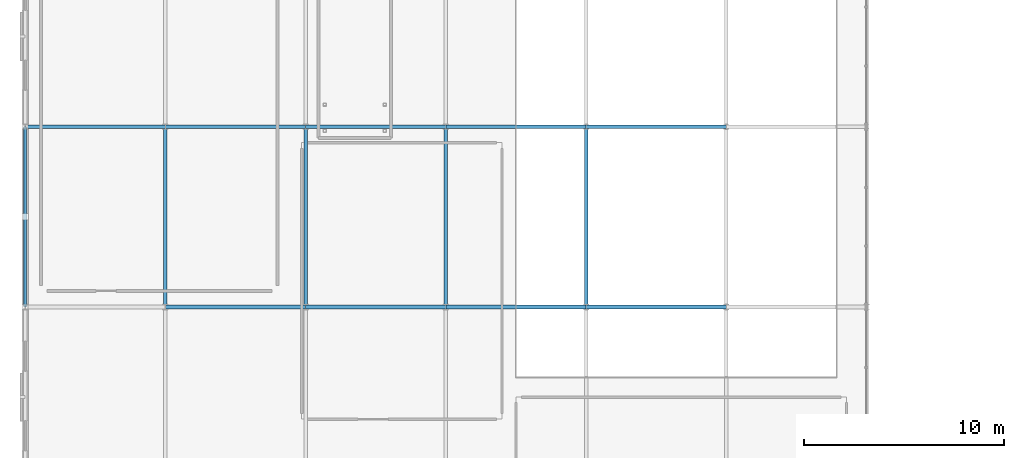
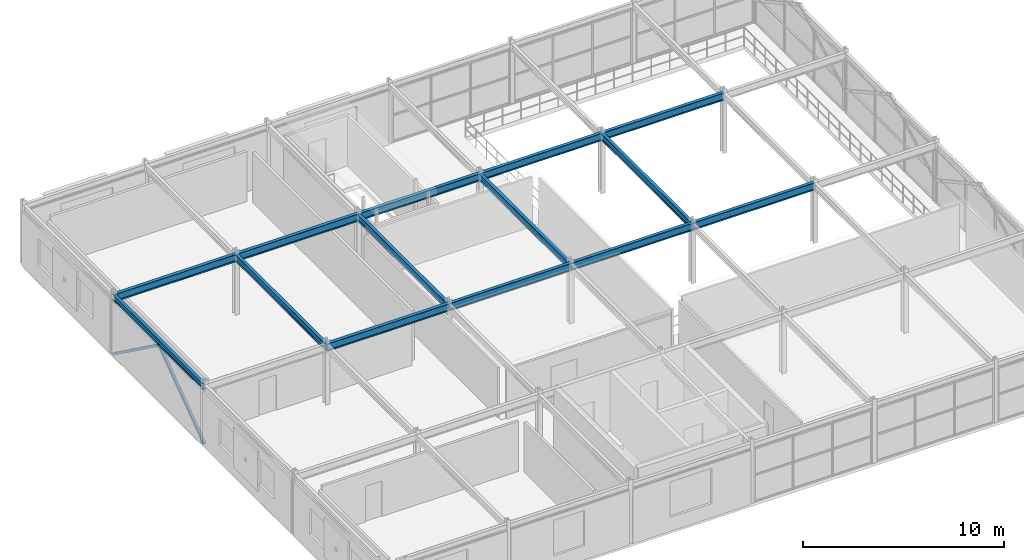
# One storey, part 39 of 98: 14 beams, 2 members.
"""IFC4 building model written with IfcOpenShell, lengths in metres."""

from ifc_helpers import new_model, si_unit, derived_unit, direction, frame, origin, origin_2d_with_axis, place, context, subcontext, project, spatial, hollow_rectangle, i_section, extrude, material, material_profile, profile_set, type_object, element, save


model = new_model("IFC4")

# Units and contexts
model_context = context("Model", 3, precision=1e-05, world=origin(), true_north=direction((0.0, 1.0)))
body_context = subcontext(model_context, "Body", "Model", "MODEL_VIEW")
ifc_project = project(units=[si_unit("LENGTHUNIT", "METRE"), si_unit("AREAUNIT", "SQUARE_METRE"), si_unit("VOLUMEUNIT", "CUBIC_METRE"), si_unit("PLANEANGLEUNIT", "RADIAN"), si_unit("MASSUNIT", "GRAM", prefix="KILO"), derived_unit("THERMALTRANSMITTANCEUNIT", [(si_unit("POWERUNIT", "WATT"), 1), (si_unit("LENGTHUNIT", "METRE"), -2), (si_unit("THERMODYNAMICTEMPERATUREUNIT", "KELVIN"), -1)])], contexts=[model_context])

# Site, building, storey
site_placement = place(None, origin())
site = spatial("IfcSite", under=ifc_project, at=site_placement, CompositionType="ELEMENT")
building_placement = place(site_placement, origin())
building = spatial("IfcBuilding", under=site, at=building_placement, Name="Cinnabar Yard Market Hall", CompositionType="ELEMENT")
storey_placement = place(building_placement, frame((0.0, 0.0, 4.5)))
storey = spatial("IfcBuildingStorey", under=building, at=storey_placement, Name="L01", CompositionType="ELEMENT", Elevation=4.5)

# Beams
ifc_material_1 = material(Name="Steel Grade 300 (300 MPa)", Category="steel")
ifc_material_profile_1 = material_profile(ifc_material_1, i_section(OverallWidth=0.18994140625, OverallDepth=0.453857421875, WebThickness=0.008544921875, FlangeThickness=0.0126953125, FilletRadius=0.011474609375, at=origin_2d_with_axis()), Name="460UB67.1")
ifc_profile_set_1 = profile_set([ifc_material_profile_1], Name="Steel Grade 300 (300 MPa)")
beam_type_1 = type_object("IfcBeamType", Name="BM-B05", PredefinedType="BEAM", material=ifc_profile_set_1)
for number, where, z_axis, x_axis, name in (
    (1, (10.0, 75.0, 3.423095703125), (1.0, 0.0, 0.0), (0.0, 1.0, 0.0), "V2 L01 Girder X 00710"),
    (2, (17.0, 66.0, 3.423095703125), (1.0, 0.0, 0.0), (0.0, 1.0, 0.0), "V2 L01 Girder X 00714"),
    (3, (17.0, 75.0, 3.423095703125), (1.0, 0.0, 0.0), (0.0, 1.0, 0.0), "V2 L01 Girder X 00715"),
    (4, (24.0, 66.0, 3.423095703125), (1.0, 0.0, 0.0), (0.0, 1.0, 0.0), "V2 L01 Girder X 00719"),
    (5, (24.0, 75.0, 3.423095703125), (1.0, 0.0, 0.0), (0.0, 1.0, 0.0), "V2 L01 Girder X 00720"),
    (6, (31.0, 66.0, 3.423095703125), (1.0, 0.0, 0.0), (0.0, 1.0, 0.0), "V2 L01 Girder X 00724"),
    (7, (31.0, 75.0, 3.423095703125), (1.0, 0.0, 0.0), (0.0, 1.0, 0.0), "V2 L01 Girder X 00725"),
    (8, (38.0, 66.0, 3.423095703125), (1.0, 0.0, 0.0), (0.0, 1.0, 0.0), "V2 L01 Girder X 00729"),
    (9, (38.0, 75.0, 3.423095703125), (1.0, 0.0, 0.0), (0.0, 1.0, 0.0), "V2 L01 Girder X 00730"),
):
    element("IfcBeam", number, at=place(storey_placement, frame(where, z_axis=z_axis, x_axis=x_axis)), inside=storey, type_object=beam_type_1, Name=name, PredefinedType="BEAM", context=body_context, shape_type="SweptSolid", body=[
        extrude(i_section(OverallWidth=0.18994140625, OverallDepth=0.453857421875, WebThickness=0.008544921875, FlangeThickness=0.0126953125, FilletRadius=0.011474609375, at=origin_2d_with_axis()), origin(), (0.0, 0.0, 1.0), 7.0),
    ])
ifc_material_profile_2 = material_profile(ifc_material_1, i_section(OverallWidth=0.177978515625, OverallDepth=0.406494140625, WebThickness=0.0078125, FlangeThickness=0.0126953125, FilletRadius=0.011474609375, at=origin_2d_with_axis()), Name="410UB59.7")
ifc_profile_set_2 = profile_set([ifc_material_profile_2], Name="Steel Grade 300 (300 MPa)")
beam_type_2 = type_object("IfcBeamType", Name="BM-B06", PredefinedType="BEAM", material=ifc_profile_set_2)
for number, where, z_axis, x_axis, name in (
    (10, (17.0, 66.0, 3.44677734375), (0.0, 1.0, 0.0), (-1.0, 0.0, 0.0), "V2 L01 Girder Y 00743"),
    (11, (24.0, 66.0, 3.44677734375), (0.0, 1.0, 0.0), (-1.0, 0.0, 0.0), "V2 L01 Girder Y 00747"),
    (12, (31.0, 66.0, 3.44677734375), (0.0, 1.0, 0.0), (-1.0, 0.0, 0.0), "V2 L01 Girder Y 00751"),
    (13, (38.0, 66.0, 3.44677734375), (0.0, 1.0, 0.0), (-1.0, 0.0, 0.0), "V2 L01 Girder Y 00755"),
):
    element("IfcBeam", number, at=place(storey_placement, frame(where, z_axis=z_axis, x_axis=x_axis)), inside=storey, type_object=beam_type_2, Name=name, PredefinedType="BEAM", context=body_context, shape_type="SweptSolid", body=[
        extrude(i_section(OverallWidth=0.177978515625, OverallDepth=0.406494140625, WebThickness=0.0078125, FlangeThickness=0.0126953125, FilletRadius=0.011474609375, at=origin_2d_with_axis()), origin(), (0.0, 0.0, 1.0), 9.0),
    ])
ifc_material_profile_3 = material_profile(ifc_material_1, i_section(OverallWidth=0.172119140625, OverallDepth=0.358642578125, WebThickness=0.008056640625, FlangeThickness=0.012939453125, FilletRadius=0.011474609375, at=origin_2d_with_axis()), Name="360UB56.7")
ifc_profile_set_3 = profile_set([ifc_material_profile_3], Name="Steel Grade 300 (300 MPa)")
beam_type_3 = type_object("IfcBeamType", Name="BM-SP02E", PredefinedType="SPANDREL", material=ifc_profile_set_3)
beam_placement = place(storey_placement, frame((10.0, 66.0, 3.470703125), z_axis=(0.0, 1.0, 0.0), x_axis=(-1.0, 0.0, 0.0)))
element("IfcBeam", 14, at=beam_placement, inside=storey, type_object=beam_type_3, Name="V2 L01 Girder Y 00739", PredefinedType="SPANDREL", context=body_context, shape_type="SweptSolid", body=[
    extrude(i_section(OverallWidth=0.172119140625, OverallDepth=0.358642578125, WebThickness=0.008056640625, FlangeThickness=0.012939453125, FilletRadius=0.011474609375, at=origin_2d_with_axis()), origin(), (0.0, 0.0, 1.0), 9.0),
])

# Members
ifc_material_2 = material(Name="Cold-formed steel C350L0", Category="steel")
ifc_material_profile_4 = material_profile(ifc_material_2, hollow_rectangle(XDim=0.14990234375, YDim=0.14990234375, WallThickness=0.006103515625, InnerFilletRadius=0.006103515625, OuterFilletRadius=0.011962890625, at=origin_2d_with_axis()), Name="150x150x6.0SHS")
ifc_profile_set_4 = profile_set([ifc_material_profile_4], Name="Cold-formed steel C350L0")
member_type = type_object("IfcMemberType", Name="MB-BR02E", PredefinedType="BRACE", material=ifc_profile_set_4)
for number, where, z_axis, x_axis, name in (
    (15, (10.0, 66.0, 0.0), (0.0, 0.808967567345, 0.587853276748), (-1.0, 0.0, 0.0), "Chevron Brace CBF-V2-W1 A"),
    (16, (10.0, 75.0, 0.0), (0.0, -0.808967567345, 0.587853276748), (1.0, 0.0, 0.0), "Chevron Brace CBF-V2-W1 B"),
):
    element("IfcMember", number, at=place(storey_placement, frame(where, z_axis=z_axis, x_axis=x_axis)), inside=storey, type_object=member_type, Name=name, PredefinedType="BRACE", context=body_context, shape_type="SweptSolid", body=[
        extrude(hollow_rectangle(XDim=0.14990234375, YDim=0.14990234375, WallThickness=0.006103515625, InnerFilletRadius=0.006103515625, OuterFilletRadius=0.011962890625, at=origin_2d_with_axis()), origin(), (0.0, 0.0, 1.0), 5.562744140625),
    ])

save(model, "model.ifc")
